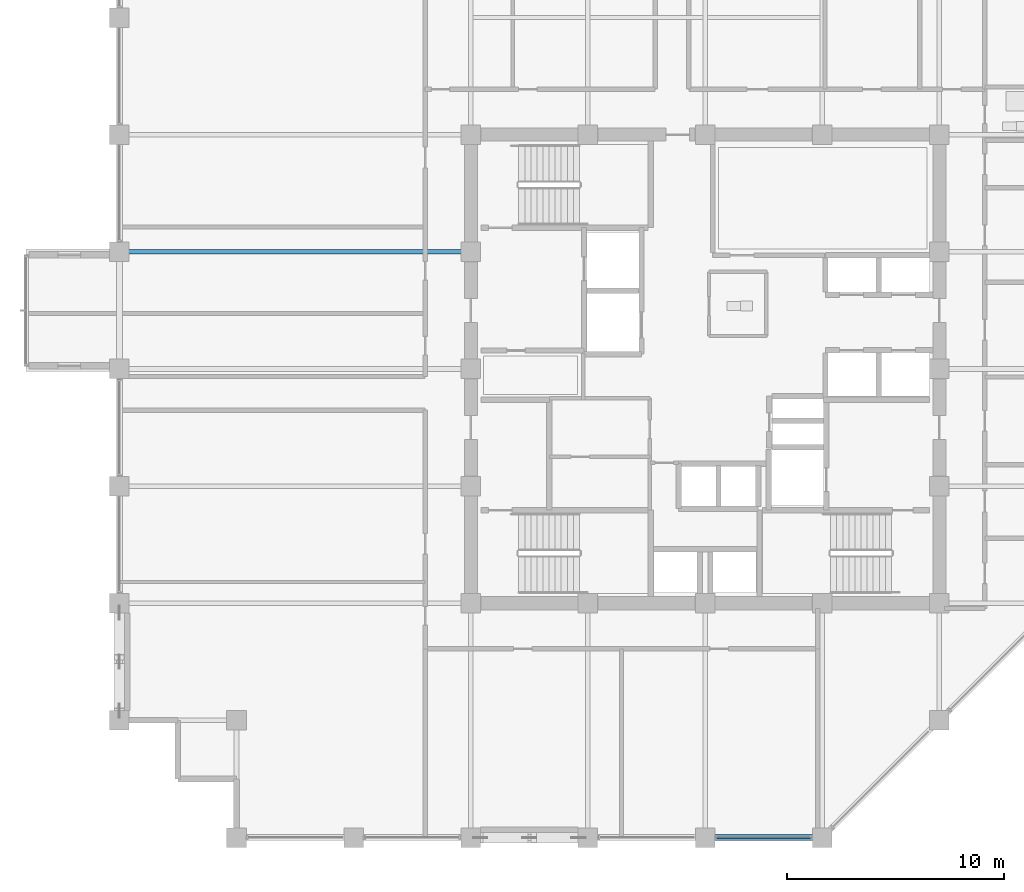
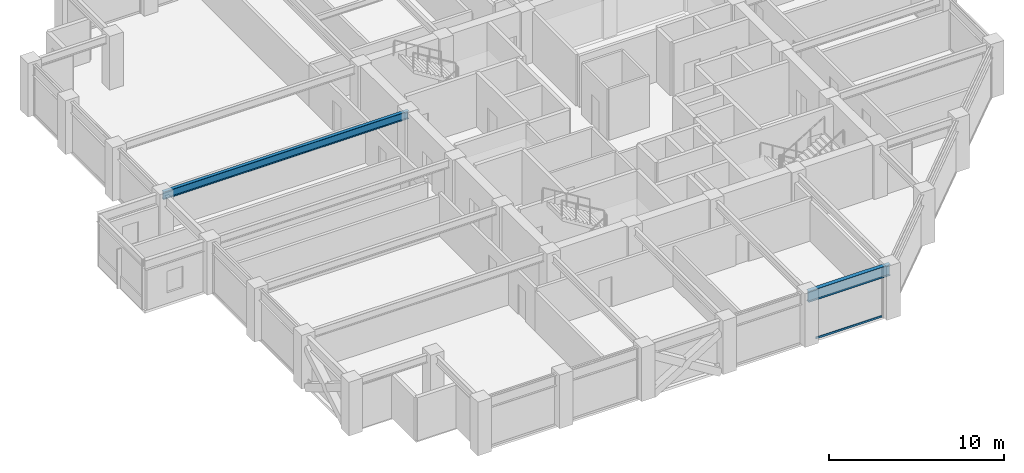
# One storey, part 8 of 28: 2 beams, 1 member, 1 element without a shape of its own.
"""IFC4 building model written with IfcOpenShell, lengths in metres."""

from ifc_helpers import new_model, si_unit, direction, frame, origin, origin_2d, place, context, subcontext, project, spatial, hollow_rectangle, i_section, extrude, material, layer, layer_set, material_profile, profile_set, type_object, element, aggregate, save


model = new_model("IFC4")

# Units and contexts
model_context = context("Model", 3, precision=1e-05, world=origin(), true_north=direction((0.0, 1.0)))
body_context = subcontext(model_context, "Body", "Model", "MODEL_VIEW")
ifc_project = project(units=[si_unit("LENGTHUNIT", "METRE"), si_unit("AREAUNIT", "SQUARE_METRE"), si_unit("VOLUMEUNIT", "CUBIC_METRE"), si_unit("PLANEANGLEUNIT", "RADIAN"), si_unit("MASSUNIT", "GRAM", prefix="KILO")], contexts=[model_context])

# Site, building, storey
site_placement = place(None, origin())
site = spatial("IfcSite", under=ifc_project, at=site_placement, CompositionType="ELEMENT")
building_placement = place(site_placement, origin())
building = spatial("IfcBuilding", under=site, at=building_placement, Name="Surkhivell Harbour Commons", CompositionType="ELEMENT")
storey_placement = place(building_placement, frame((0.0, 0.0, 174.75)))
storey = spatial("IfcBuildingStorey", under=building, at=storey_placement, Name="L45", CompositionType="ELEMENT", Elevation=174.75)

# Beams
ifc_material_1 = material(Name="Steel S355", Category="steel")
ifc_material_profile_1 = material_profile(ifc_material_1, i_section(OverallWidth=0.2119140625, OverallDepth=0.5439453125, WebThickness=0.0126953125, FlangeThickness=0.021240234375, at=origin_2d()), Name="UB533x210x122")
ifc_profile_set_1 = profile_set([ifc_material_profile_1], Name="Steel S355")
beam_type_1 = type_object("IfcBeamType", Name="BM-GRD-533A", PredefinedType="BEAM", material=ifc_profile_set_1)
beam_1_placement = place(storey_placement, frame((-27.0, 5.39990234375, 3.298095703125), z_axis=(1.0, 0.0, 0.0), x_axis=(0.0, 1.0, 0.0)))
element("IfcBeam", 1, at=beam_1_placement, inside=storey, type_object=beam_type_1, Name="L45 Cantilever Back-Span Girder (-27.0,5.4)", PredefinedType="BEAM", context=body_context, shape_type="SweptSolid", body=[
    extrude(i_section(OverallWidth=0.2119140625, OverallDepth=0.5439453125, WebThickness=0.0126953125, FlangeThickness=0.021240234375, at=origin_2d()), origin(), (0.0, 0.0, 1.0), 16.199951171875),
])
ifc_material_profile_2 = material_profile(ifc_material_1, i_section(OverallWidth=0.26806640625, OverallDepth=0.77001953125, WebThickness=0.015625, FlangeThickness=0.025390625, at=origin_2d()), Name="UB762x267x197")
ifc_profile_set_2 = profile_set([ifc_material_profile_2], Name="Steel S355")
beam_type_2 = type_object("IfcBeamType", Name="BM-SPN-762", PredefinedType="SPANDREL", material=ifc_profile_set_2)
beam_2_placement = place(storey_placement, frame((0.0, -21.60009765625, 3.18505859375), z_axis=(1.0, 0.0, 0.0), x_axis=(0.0, 1.0, 0.0)))
element("IfcBeam", 2, at=beam_2_placement, inside=storey, type_object=beam_type_2, Name="L45 Tube Spandrel (-0.0,-21.6)", PredefinedType="SPANDREL", context=body_context, shape_type="SweptSolid", body=[
    extrude(i_section(OverallWidth=0.26806640625, OverallDepth=0.77001953125, WebThickness=0.015625, FlangeThickness=0.025390625, at=origin_2d()), origin(), (0.0, 0.0, 1.0), 5.39990234375),
])

# Curtain wall, member
ifc_material_2 = material(Name="Anodised pale-metal aluminium and insulated glazing", Category="aluminium")
ifc_layer = layer(ifc_material_2, 0.18994140625)
ifc_layer_set = layer_set([ifc_layer], Name="Anodised pale-metal aluminium and insulated glazing")
curtain_wall_type = type_object("IfcCurtainWallType", Name="CW-SYS-Z3", PredefinedType="NOTDEFINED", material=ifc_layer_set)
curtain_wall_placement = place(storey_placement, origin())
curtain_wall = element("IfcCurtainWall", 3, at=curtain_wall_placement, inside=storey, type_object=curtain_wall_type, Name="L45 Curtain Wall CW-L45-E00S2", PredefinedType="NOTDEFINED")
ifc_material_3 = material(Name="Champagne anodised aluminium alloy 6063-T6", Category="aluminium")
ifc_material_profile_3 = material_profile(ifc_material_3, hollow_rectangle(XDim=0.070068359375, YDim=0.1298828125, WallThickness=0.00341796875, at=origin_2d()), Name="ALU-TRAN-70x130")
ifc_profile_set_3 = profile_set([ifc_material_profile_3], Name="Champagne anodised aluminium alloy 6063-T6")
member_type = type_object("IfcMemberType", Name="CWT-130", PredefinedType="USERDEFINED", material=ifc_profile_set_3)
member_placement = place(storey_placement, frame((0.527099609375, -21.60009765625, 0.06494140625), z_axis=(1.0, 0.0, 0.0), x_axis=(0.0, 1.0, 0.0)))
member = element("IfcMember", 4, at=member_placement, type_object=member_type, Name="CW-Z3 transom 2.1", ObjectType="TRANSOM", PredefinedType="USERDEFINED", context=body_context, shape_type="SweptSolid", body=[
    extrude(hollow_rectangle(XDim=0.070068359375, YDim=0.1298828125, WallThickness=0.00341796875, at=origin_2d()), origin(), (0.0, 0.0, 1.0), 4.345947265625),
])
aggregate(curtain_wall, [member])

save(model, "model.ifc")
